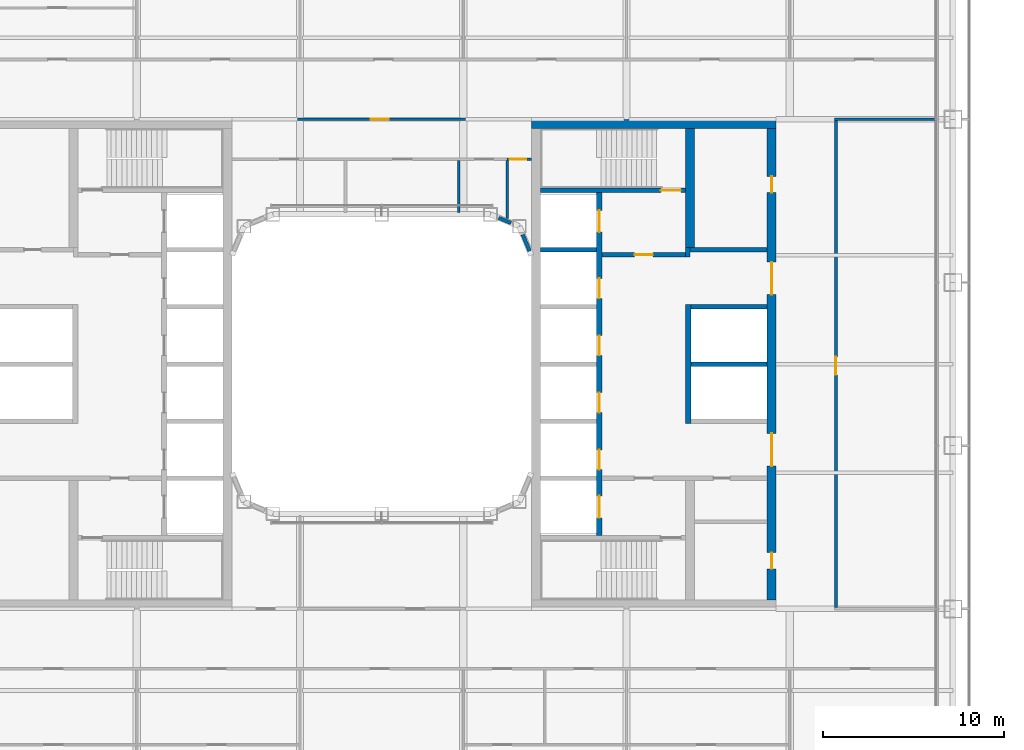
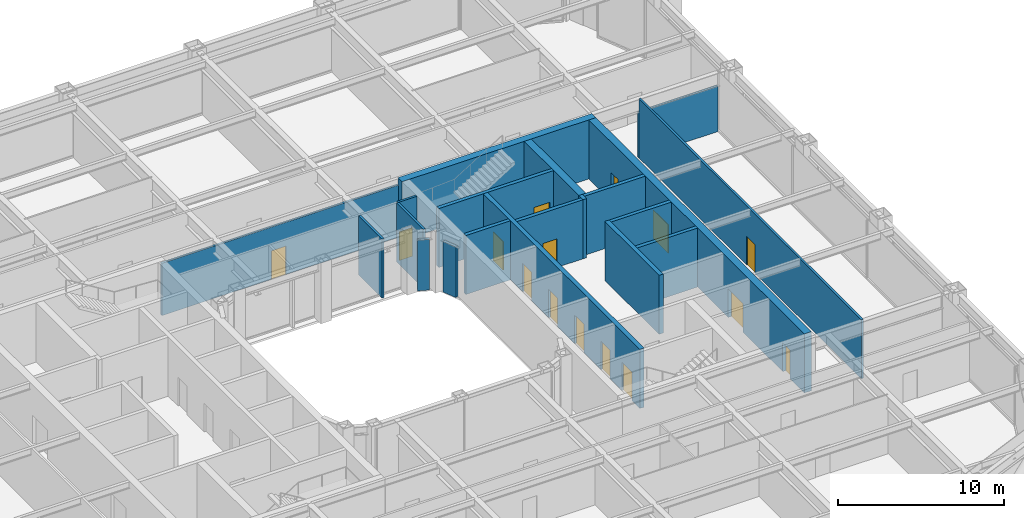
# One storey, part 15 of 30: 20 walls, 15 doors, 15 openings.
"""IFC4 building model written with IfcOpenShell, lengths in metres."""

from ifc_helpers import new_model, si_unit, direction, frame, frame_2d, origin, place, context, subcontext, project, spatial, rectangle, extrude, material, layer, layer_set, type_object, element, fill, save


model = new_model("IFC4")

# Units and contexts
model_context = context("Model", 3, precision=1e-05, world=origin(), true_north=direction((0.0, 1.0)))
body_context = subcontext(model_context, "Body", "Model", "MODEL_VIEW")
ifc_project = project(units=[si_unit("LENGTHUNIT", "METRE"), si_unit("AREAUNIT", "SQUARE_METRE"), si_unit("VOLUMEUNIT", "CUBIC_METRE"), si_unit("PLANEANGLEUNIT", "RADIAN"), si_unit("MASSUNIT", "GRAM", prefix="KILO")], contexts=[model_context])

# Site, building, storey
site_placement = place(None, origin())
site = spatial("IfcSite", under=ifc_project, at=site_placement, CompositionType="ELEMENT")
building_placement = place(site_placement, origin())
building = spatial("IfcBuilding", under=site, at=building_placement, Name="Siwar Civic Tower", CompositionType="ELEMENT")
storey_placement = place(building_placement, frame((0.0, 0.0, 80.699951171875)))
storey = spatial("IfcBuildingStorey", under=building, at=storey_placement, Name="L17", CompositionType="ELEMENT", Elevation=80.699951171875)

# Wall, opening, door
ifc_material_1 = material(Name="Gypsum board on steel studs", Category="steel")
ifc_layer_1 = layer(ifc_material_1, 0.14990234375)
ifc_layer_set_1 = layer_set([ifc_layer_1], Name="Gypsum board on steel studs")
wall_type_1 = type_object("IfcWallType", Name="COMPARTMENT PARTITION 150 EI 60", PredefinedType="PARTITIONING", material=ifc_layer_set_1)
wall_1_placement = place(storey_placement, frame((6.919921875, 11.300048828125, 0.0), z_axis=(0.0, 0.0, 1.0), x_axis=(1.0, 0.0, 0.0)))
wall_1 = element("IfcWall", 1, at=wall_1_placement, inside=storey, type_object=wall_type_1, Name="L17/wall/P10", PredefinedType="PARTITIONING", context=body_context, shape_type="SweptSolid", body=[
    extrude(rectangle(XDim=1.330078125, YDim=0.14990234375, at=frame_2d((0.6650390625, 0.0))), origin(), (0.0, 0.0, 1.0), 4.35009765625),
])
opening_1_placement = place(wall_1_placement, frame((0.14990234375, 0.0, 0.0)))
opening_1 = element("IfcOpeningElement", 2, at=opening_1_placement, cuts=wall_1, Name="Opening D4", PredefinedType="OPENING", context=body_context, shape_type="SweptSolid", body=[
    extrude(rectangle(XDim=0.89990234375, YDim=2.10009765625, at=frame_2d((0.449951171875, 1.050048828125))), frame((0.0, 0.0849609375, 0.0), z_axis=(0.0, -1.0, 0.0), x_axis=(1.0, 0.0, 0.0)), (0.0, 0.0, 1.0), 0.169921875),
])
ifc_material_2 = material(Name="Timber, painted", Category="wood")
door_type_1 = type_object("IfcDoorType", Name="DOOR 900 X 2100 FD60", OperationType="SINGLE_SWING_LEFT", PredefinedType="DOOR", material=ifc_material_2)
door_1_placement = place(opening_1_placement, origin())
door_1 = element("IfcDoor", 3, at=door_1_placement, inside=storey, type_object=door_type_1, Name="L17-D32", OperationType="SINGLE_SWING_RIGHT", OverallHeight=2.10009765625, OverallWidth=0.89990234375, PredefinedType="DOOR", context=body_context, shape_type="SweptSolid", body=[
    extrude(rectangle(XDim=0.89990234375, YDim=2.10009765625, at=frame_2d((0.449951171875, 1.050048828125))), frame((0.0, 0.02490234375, 0.0), z_axis=(0.0, -1.0, 0.0), x_axis=(1.0, 0.0, 0.0)), (0.0, 0.0, 1.0), 0.050048828125),
])
fill(opening_1, door_1)

# Wall
wall_2_placement = place(storey_placement, frame((6.919921875, 8.028076171875, 0.0), z_axis=(0.0, 0.0, 1.0), x_axis=(0.0, 1.0, 0.0)))
element("IfcWall", 4, at=wall_2_placement, inside=storey, type_object=wall_type_1, Name="L17/wall/P32", PredefinedType="PARTITIONING", context=body_context, shape_type="SweptSolid", body=[
    extrude(rectangle(XDim=3.197021484375, YDim=0.14990234375, at=frame_2d((1.5986328125, 0.0))), origin(), (0.0, 0.0, 1.0), 4.35009765625),
])

# Wall, opening, door
ifc_material_3 = material(Name="Concrete C60/75", Category="concrete")
ifc_layer_2 = layer(ifc_material_3, 0.25)
ifc_layer_set_2 = layer_set([ifc_layer_2], Name="Concrete C60/75")
wall_type_2 = type_object("IfcWallType", Name="CORE-WALL-RC250", PredefinedType="SHEAR", material=ifc_layer_set_2)
wall_3_placement = place(storey_placement, frame((12.14990234375, 6.02490234375, 0.0), z_axis=(0.0, 0.0, 1.0), x_axis=(1.0, 0.0, 0.0)))
wall_3 = element("IfcWall", 5, at=wall_3_placement, inside=storey, type_object=wall_type_2, Name="Core wall E", PredefinedType="SHEAR", context=body_context, shape_type="SweptSolid", body=[
    extrude(rectangle(XDim=4.60009765625, YDim=0.25, at=frame_2d((2.300048828125, 0.0))), origin(), (0.0, 0.0, 1.0), 4.35009765625),
])
opening_2_placement = place(wall_3_placement, frame((1.800048828125, 0.0, 0.0)))
opening_2 = element("IfcOpeningElement", 6, at=opening_2_placement, cuts=wall_3, Name="Opening L17-CE01", PredefinedType="OPENING", context=body_context, shape_type="SweptSolid", body=[
    extrude(rectangle(XDim=1.0, YDim=2.10009765625, at=frame_2d((0.5, 1.050048828125))), frame((0.0, 0.135009765625, 0.0), z_axis=(0.0, -1.0, 0.0), x_axis=(1.0, 0.0, 0.0)), (0.0, 0.0, 1.0), 0.27001953125),
])
ifc_material_4 = material(Name="Steel door leaf", Category="steel")
door_type_2 = type_object("IfcDoorType", Name="CORE-DOOR-FD30S", OperationType="SINGLE_SWING_LEFT", PredefinedType="DOOR", material=ifc_material_4)
door_2_placement = place(opening_2_placement, origin())
door_2 = element("IfcDoor", 7, at=door_2_placement, inside=storey, type_object=door_type_2, Name="Firefighting lobby door L17-CE01", OperationType="SINGLE_SWING_RIGHT", OverallHeight=2.10009765625, OverallWidth=1.0, PredefinedType="DOOR", context=body_context, shape_type="SweptSolid", body=[
    extrude(rectangle(XDim=1.0, YDim=2.10009765625, at=frame_2d((0.5, 1.050048828125))), frame((0.0, 0.02490234375, 0.0), z_axis=(0.0, -1.0, 0.0), x_axis=(1.0, 0.0, 0.0)), (0.0, 0.0, 1.0), 0.050048828125),
])
fill(opening_2, door_2)

# Walls
wall_4_placement = place(storey_placement, frame((16.875, 5.89990234375, 0.0), z_axis=(0.0, 0.0, 1.0), x_axis=(0.0, 1.0, 0.0)))
element("IfcWall", 8, at=wall_4_placement, inside=storey, type_object=wall_type_2, Name="Core wall E", PredefinedType="SHEAR", context=body_context, shape_type="SweptSolid", body=[
    extrude(rectangle(XDim=0.525146484375, YDim=0.25, at=frame_2d((0.2626953125, 0.0))), origin(), (0.0, 0.0, 1.0), 4.35009765625),
])
wall_5_placement = place(storey_placement, frame((17.0, 6.300048828125, 0.0), z_axis=(0.0, 0.0, 1.0), x_axis=(1.0, 0.0, 0.0)))
element("IfcWall", 9, at=wall_5_placement, inside=storey, type_object=wall_type_2, Name="Core wall E", PredefinedType="SHEAR", context=body_context, shape_type="SweptSolid", body=[
    extrude(rectangle(XDim=4.25, YDim=0.25, at=frame_2d((2.125, 0.0))), origin(), (0.0, 0.0, 1.0), 4.35009765625),
])
for number, where, z_axis, x_axis, name in (
    (10, (17.050048828125, 0.0, 0.0), (0.0, 0.0, 1.0), (1.0, 0.0, 0.0), "Core wall E"),
    (11, (17.050048828125, 3.14990234375, 0.0), (0.0, 0.0, 1.0), (1.0, 0.0, 0.0), "Core wall E"),
):
    element("IfcWall", number, at=place(storey_placement, frame(where, z_axis=z_axis, x_axis=x_axis)), inside=storey, type_object=wall_type_2, Name=name, PredefinedType="SHEAR", context=body_context, shape_type="SweptSolid", body=[
        extrude(rectangle(XDim=4.199951171875, YDim=0.25, at=frame_2d((2.10009765625, 0.0))), origin(), (0.0, 0.0, 1.0), 4.35009765625),
    ])
wall_6_placement = place(storey_placement, frame((8.75, 6.300048828125, 0.0), z_axis=(0.0, 0.0, 1.0), x_axis=(1.0, 0.0, 0.0)))
element("IfcWall", 12, at=wall_6_placement, inside=storey, type_object=wall_type_2, Name="Core wall E", PredefinedType="SHEAR", context=body_context, shape_type="SweptSolid", body=[
    extrude(rectangle(XDim=3.10009765625, YDim=0.25, at=frame_2d((1.550048828125, 0.0))), origin(), (0.0, 0.0, 1.0), 4.35009765625),
])

# Wall, opening, door
wall_7_placement = place(storey_placement, frame((8.75, 9.574951171875, 0.0), z_axis=(0.0, 0.0, 1.0), x_axis=(1.0, 0.0, 0.0)))
wall_7 = element("IfcWall", 13, at=wall_7_placement, inside=storey, type_object=wall_type_2, Name="Core wall E", PredefinedType="SHEAR", context=body_context, shape_type="SweptSolid", body=[
    extrude(rectangle(XDim=8.0, YDim=0.25, at=frame_2d((4.0, 0.0))), origin(), (0.0, 0.0, 1.0), 4.35009765625),
])
opening_3_placement = place(wall_7_placement, frame((6.64990234375, 0.0, 0.0)))
opening_3 = element("IfcOpeningElement", 14, at=opening_3_placement, cuts=wall_7, Name="Opening L17-CE03", PredefinedType="OPENING", context=body_context, shape_type="SweptSolid", body=[
    extrude(rectangle(XDim=1.10009765625, YDim=2.10009765625, at=frame_2d((0.550048828125, 1.050048828125))), frame((0.0, 0.135009765625, 0.0), z_axis=(0.0, -1.0, 0.0), x_axis=(1.0, 0.0, 0.0)), (0.0, 0.0, 1.0), 0.27001953125),
])
ifc_material_5 = material(Name="Steel door leaf", Category="steel")
door_type_3 = type_object("IfcDoorType", Name="CORE-DOOR-FD60S", OperationType="SINGLE_SWING_LEFT", PredefinedType="DOOR", material=ifc_material_5)
door_3_placement = place(opening_3_placement, origin())
door_3 = element("IfcDoor", 15, at=door_3_placement, inside=storey, type_object=door_type_3, Name="Stair door L17-CE03", OperationType="SINGLE_SWING_LEFT", OverallHeight=2.10009765625, OverallWidth=1.10009765625, PredefinedType="DOOR", context=body_context, shape_type="SweptSolid", body=[
    extrude(rectangle(XDim=1.10009765625, YDim=2.10009765625, at=frame_2d((0.550048828125, 1.050048828125))), frame((0.0, 0.02490234375, 0.0), z_axis=(0.0, -1.0, 0.0), x_axis=(1.0, 0.0, 0.0)), (0.0, 0.0, 1.0), 0.050048828125),
])
fill(opening_3, door_3)

# Wall, openings, doors
ifc_material_6 = material(Name="Concrete C60/75", Category="concrete")
ifc_layer_3 = layer(ifc_material_6, 0.300048828125)
ifc_layer_set_3 = layer_set([ifc_layer_3], Name="Concrete C60/75")
wall_type_3 = type_object("IfcWallType", Name="CORE-WALL-RC300", PredefinedType="SHEAR", material=ifc_layer_set_3)
wall_8_placement = place(storey_placement, frame((12.0, -9.449951171875, 0.0), z_axis=(0.0, 0.0, 1.0), x_axis=(0.0, 1.0, 0.0)))
wall_8 = element("IfcWall", 16, at=wall_8_placement, inside=storey, type_object=wall_type_3, Name="Core wall E", PredefinedType="SHEAR", context=body_context, shape_type="SweptSolid", body=[
    extrude(rectangle(XDim=18.89990234375, YDim=0.300048828125, at=frame_2d((9.449951171875, 0.0))), origin(), (0.0, 0.0, 1.0), 4.35009765625),
])
opening_4_placement = place(wall_8_placement, frame((3.625, 0.0, 0.0)))
opening_4 = element("IfcOpeningElement", 17, at=opening_4_placement, cuts=wall_8, Name="Opening L17-CE07", PredefinedType="OPENING", context=body_context, shape_type="SweptSolid", body=[
    extrude(rectangle(XDim=1.10009765625, YDim=2.10009765625, at=frame_2d((0.550048828125, 1.050048828125))), frame((0.0, 0.16015625, 0.0), z_axis=(0.0, -1.0, 0.0), x_axis=(1.0, 0.0, 0.0)), (0.0, 0.0, 1.0), 0.320068359375),
])
opening_5_placement = place(wall_8_placement, frame((6.77490234375, 0.0, 0.0)))
opening_5 = element("IfcOpeningElement", 18, at=opening_5_placement, cuts=wall_8, Name="Opening L17-CE08", PredefinedType="OPENING", context=body_context, shape_type="SweptSolid", body=[
    extrude(rectangle(XDim=1.10009765625, YDim=2.10009765625, at=frame_2d((0.550048828125, 1.050048828125))), frame((0.0, 0.16015625, 0.0), z_axis=(0.0, -1.0, 0.0), x_axis=(1.0, 0.0, 0.0)), (0.0, 0.0, 1.0), 0.320068359375),
])
opening_6_placement = place(wall_8_placement, frame((9.925048828125, 0.0, 0.0)))
opening_6 = element("IfcOpeningElement", 19, at=opening_6_placement, cuts=wall_8, Name="Opening L17-CE09", PredefinedType="OPENING", context=body_context, shape_type="SweptSolid", body=[
    extrude(rectangle(XDim=1.10009765625, YDim=2.10009765625, at=frame_2d((0.550048828125, 1.050048828125))), frame((0.0, 0.16015625, 0.0), z_axis=(0.0, -1.0, 0.0), x_axis=(1.0, 0.0, 0.0)), (0.0, 0.0, 1.0), 0.320068359375),
])
opening_7_placement = place(wall_8_placement, frame((13.074951171875, 0.0, 0.0)))
opening_7 = element("IfcOpeningElement", 20, at=opening_7_placement, cuts=wall_8, Name="Opening L17-CE10", PredefinedType="OPENING", context=body_context, shape_type="SweptSolid", body=[
    extrude(rectangle(XDim=1.10009765625, YDim=2.10009765625, at=frame_2d((0.550048828125, 1.050048828125))), frame((0.0, 0.16015625, 0.0), z_axis=(0.0, -1.0, 0.0), x_axis=(1.0, 0.0, 0.0)), (0.0, 0.0, 1.0), 0.320068359375),
])
opening_8_placement = place(wall_8_placement, frame((16.72509765625, 0.0, 0.0)))
opening_8 = element("IfcOpeningElement", 21, at=opening_8_placement, cuts=wall_8, Name="Opening L17-CE11", PredefinedType="OPENING", context=body_context, shape_type="SweptSolid", body=[
    extrude(rectangle(XDim=1.199951171875, YDim=2.10009765625, at=frame_2d((0.60009765625, 1.050048828125))), frame((0.0, 0.16015625, 0.0), z_axis=(0.0, -1.0, 0.0), x_axis=(1.0, 0.0, 0.0)), (0.0, 0.0, 1.0), 0.320068359375),
])
opening_9_placement = place(wall_8_placement, frame((0.97509765625, 0.0, 0.0)))
opening_9 = element("IfcOpeningElement", 22, at=opening_9_placement, cuts=wall_8, Name="Opening L17-CE12", PredefinedType="OPENING", context=body_context, shape_type="SweptSolid", body=[
    extrude(rectangle(XDim=1.199951171875, YDim=2.10009765625, at=frame_2d((0.60009765625, 1.050048828125))), frame((0.0, 0.16015625, 0.0), z_axis=(0.0, -1.0, 0.0), x_axis=(1.0, 0.0, 0.0)), (0.0, 0.0, 1.0), 0.320068359375),
])
ifc_material_7 = material(Name="Steel door leaf", Category="steel")
door_type_4 = type_object("IfcDoorType", Name="CORE-DOOR-LD", OperationType="DOUBLE_DOOR_SLIDING", PredefinedType="DOOR", material=ifc_material_7)
door_4_placement = place(opening_4_placement, origin())
door_4 = element("IfcDoor", 23, at=door_4_placement, inside=storey, type_object=door_type_4, Name="Landing door LR5 L17-CE07", OperationType="DOUBLE_DOOR_SLIDING", OverallHeight=2.10009765625, OverallWidth=1.10009765625, PredefinedType="DOOR", context=body_context, shape_type="SweptSolid", body=[
    extrude(rectangle(XDim=1.10009765625, YDim=2.10009765625, at=frame_2d((0.550048828125, 1.050048828125))), frame((0.0, 0.02490234375, 0.0), z_axis=(0.0, -1.0, 0.0), x_axis=(1.0, 0.0, 0.0)), (0.0, 0.0, 1.0), 0.050048828125),
])
fill(opening_4, door_4)
door_5_placement = place(opening_5_placement, origin())
door_5 = element("IfcDoor", 24, at=door_5_placement, inside=storey, type_object=door_type_4, Name="Landing door LR6 L17-CE08", OperationType="DOUBLE_DOOR_SLIDING", OverallHeight=2.10009765625, OverallWidth=1.10009765625, PredefinedType="DOOR", context=body_context, shape_type="SweptSolid", body=[
    extrude(rectangle(XDim=1.10009765625, YDim=2.10009765625, at=frame_2d((0.550048828125, 1.050048828125))), frame((0.0, 0.02490234375, 0.0), z_axis=(0.0, -1.0, 0.0), x_axis=(1.0, 0.0, 0.0)), (0.0, 0.0, 1.0), 0.050048828125),
])
fill(opening_5, door_5)
door_6_placement = place(opening_6_placement, origin())
door_6 = element("IfcDoor", 25, at=door_6_placement, inside=storey, type_object=door_type_4, Name="Landing door LR7 L17-CE09", OperationType="DOUBLE_DOOR_SLIDING", OverallHeight=2.10009765625, OverallWidth=1.10009765625, PredefinedType="DOOR", context=body_context, shape_type="SweptSolid", body=[
    extrude(rectangle(XDim=1.10009765625, YDim=2.10009765625, at=frame_2d((0.550048828125, 1.050048828125))), frame((0.0, 0.02490234375, 0.0), z_axis=(0.0, -1.0, 0.0), x_axis=(1.0, 0.0, 0.0)), (0.0, 0.0, 1.0), 0.050048828125),
])
fill(opening_6, door_6)
door_7_placement = place(opening_7_placement, origin())
door_7 = element("IfcDoor", 26, at=door_7_placement, inside=storey, type_object=door_type_4, Name="Landing door LR8 L17-CE10", OperationType="DOUBLE_DOOR_SLIDING", OverallHeight=2.10009765625, OverallWidth=1.10009765625, PredefinedType="DOOR", context=body_context, shape_type="SweptSolid", body=[
    extrude(rectangle(XDim=1.10009765625, YDim=2.10009765625, at=frame_2d((0.550048828125, 1.050048828125))), frame((0.0, 0.02490234375, 0.0), z_axis=(0.0, -1.0, 0.0), x_axis=(1.0, 0.0, 0.0)), (0.0, 0.0, 1.0), 0.050048828125),
])
fill(opening_7, door_7)
ifc_material_8 = material(Name="Steel door leaf", Category="steel")
door_type_5 = type_object("IfcDoorType", Name="CORE-DOOR-LDW", OperationType="DOUBLE_DOOR_SLIDING", PredefinedType="DOOR", material=ifc_material_8)
door_8_placement = place(opening_8_placement, origin())
door_8 = element("IfcDoor", 27, at=door_8_placement, inside=storey, type_object=door_type_5, Name="Landing door FF2 L17-CE11", OperationType="DOUBLE_DOOR_SLIDING", OverallHeight=2.10009765625, OverallWidth=1.199951171875, PredefinedType="DOOR", context=body_context, shape_type="SweptSolid", body=[
    extrude(rectangle(XDim=1.199951171875, YDim=2.10009765625, at=frame_2d((0.60009765625, 1.050048828125))), frame((0.0, 0.02490234375, 0.0), z_axis=(0.0, -1.0, 0.0), x_axis=(1.0, 0.0, 0.0)), (0.0, 0.0, 1.0), 0.050048828125),
])
fill(opening_8, door_8)
door_9_placement = place(opening_9_placement, origin())
door_9 = element("IfcDoor", 28, at=door_9_placement, inside=storey, type_object=door_type_5, Name="Landing door SV2 L17-CE12", OperationType="DOUBLE_DOOR_SLIDING", OverallHeight=2.10009765625, OverallWidth=1.199951171875, PredefinedType="DOOR", context=body_context, shape_type="SweptSolid", body=[
    extrude(rectangle(XDim=1.199951171875, YDim=2.10009765625, at=frame_2d((0.60009765625, 1.050048828125))), frame((0.0, 0.02490234375, 0.0), z_axis=(0.0, -1.0, 0.0), x_axis=(1.0, 0.0, 0.0)), (0.0, 0.0, 1.0), 0.050048828125),
])
fill(opening_9, door_9)

# Wall
wall_9_placement = place(storey_placement, frame((16.89990234375, -3.27490234375, 0.0), z_axis=(0.0, 0.0, 1.0), x_axis=(0.0, 1.0, 0.0)))
element("IfcWall", 29, at=wall_9_placement, inside=storey, type_object=wall_type_3, Name="Core wall E", PredefinedType="SHEAR", context=body_context, shape_type="SweptSolid", body=[
    extrude(rectangle(XDim=6.5498046875, YDim=0.300048828125, at=frame_2d((3.27490234375, 0.0))), origin(), (0.0, 0.0, 1.0), 4.35009765625),
])

# Wall, openings, doors
ifc_material_9 = material(Name="Concrete C60/75", Category="concrete")
ifc_layer_4 = layer(ifc_material_9, 0.5)
ifc_layer_set_4 = layer_set([ifc_layer_4], Name="Concrete C60/75")
wall_type_4 = type_object("IfcWallType", Name="CORE-WALL-RC500", PredefinedType="SHEAR", material=ifc_layer_set_4)
wall_10_placement = place(storey_placement, frame((21.5, -13.0, 0.0), z_axis=(0.0, 0.0, 1.0), x_axis=(0.0, 1.0, 0.0)))
wall_10 = element("IfcWall", 30, at=wall_10_placement, inside=storey, type_object=wall_type_4, Name="Core wall E", PredefinedType="SHEAR", context=body_context, shape_type="SweptSolid", body=[
    extrude(rectangle(XDim=26.0, YDim=0.5, at=frame_2d((13.0, 0.0))), origin(), (0.0, 0.0, 1.0), 4.35009765625),
])
opening_10_placement = place(wall_10_placement, frame((16.824951171875, 0.0, 0.0)))
opening_10 = element("IfcOpeningElement", 31, at=opening_10_placement, cuts=wall_10, Name="Opening L17-CE05", PredefinedType="OPENING", context=body_context, shape_type="SweptSolid", body=[
    extrude(rectangle(XDim=1.800048828125, YDim=2.10009765625, at=frame_2d((0.89990234375, 1.050048828125))), frame((0.0, 0.260009765625, 0.0), z_axis=(0.0, -1.0, 0.0), x_axis=(1.0, 0.0, 0.0)), (0.0, 0.0, 1.0), 0.52001953125),
])
opening_11_placement = place(wall_10_placement, frame((7.375, 0.0, 0.0)))
opening_11 = element("IfcOpeningElement", 32, at=opening_11_placement, cuts=wall_10, Name="Opening L17-CE06", PredefinedType="OPENING", context=body_context, shape_type="SweptSolid", body=[
    extrude(rectangle(XDim=1.800048828125, YDim=2.10009765625, at=frame_2d((0.89990234375, 1.050048828125))), frame((0.0, 0.260009765625, 0.0), z_axis=(0.0, -1.0, 0.0), x_axis=(1.0, 0.0, 0.0)), (0.0, 0.0, 1.0), 0.52001953125),
])
opening_12_placement = place(wall_10_placement, frame((22.449951171875, 0.0, 0.0)))
opening_12 = element("IfcOpeningElement", 33, at=opening_12_placement, cuts=wall_10, Name="Opening L17-CE13", PredefinedType="OPENING", context=body_context, shape_type="SweptSolid", body=[
    extrude(rectangle(XDim=0.89990234375, YDim=2.10009765625, at=frame_2d((0.449951171875, 1.050048828125))), frame((0.0, 0.260009765625, 0.0), z_axis=(0.0, -1.0, 0.0), x_axis=(1.0, 0.0, 0.0)), (0.0, 0.0, 1.0), 0.52001953125),
])
opening_13_placement = place(wall_10_placement, frame((1.699951171875, 0.0, 0.0)))
opening_13 = element("IfcOpeningElement", 34, at=opening_13_placement, cuts=wall_10, Name="Opening L17-CE15", PredefinedType="OPENING", context=body_context, shape_type="SweptSolid", body=[
    extrude(rectangle(XDim=0.89990234375, YDim=2.10009765625, at=frame_2d((0.449951171875, 1.050048828125))), frame((0.0, 0.260009765625, 0.0), z_axis=(0.0, -1.0, 0.0), x_axis=(1.0, 0.0, 0.0)), (0.0, 0.0, 1.0), 0.52001953125),
])
ifc_material_10 = material(Name="Steel door leaf", Category="steel")
door_type_6 = type_object("IfcDoorType", Name="CORE-DOOR-PORT", OperationType="DOUBLE_DOOR_DOUBLE_SWING", PredefinedType="DOOR", material=ifc_material_10)
door_10_placement = place(opening_10_placement, origin())
door_10 = element("IfcDoor", 35, at=door_10_placement, inside=storey, type_object=door_type_6, Name="Core entrance door L17-CE05", OperationType="DOUBLE_DOOR_DOUBLE_SWING", OverallHeight=2.10009765625, OverallWidth=1.800048828125, PredefinedType="DOOR", context=body_context, shape_type="SweptSolid", body=[
    extrude(rectangle(XDim=1.800048828125, YDim=2.10009765625, at=frame_2d((0.89990234375, 1.050048828125))), frame((0.0, 0.02490234375, 0.0), z_axis=(0.0, -1.0, 0.0), x_axis=(1.0, 0.0, 0.0)), (0.0, 0.0, 1.0), 0.050048828125),
])
fill(opening_10, door_10)
door_11_placement = place(opening_11_placement, origin())
door_11 = element("IfcDoor", 36, at=door_11_placement, inside=storey, type_object=door_type_6, Name="Core entrance door L17-CE06", OperationType="DOUBLE_DOOR_DOUBLE_SWING", OverallHeight=2.10009765625, OverallWidth=1.800048828125, PredefinedType="DOOR", context=body_context, shape_type="SweptSolid", body=[
    extrude(rectangle(XDim=1.800048828125, YDim=2.10009765625, at=frame_2d((0.89990234375, 1.050048828125))), frame((0.0, 0.02490234375, 0.0), z_axis=(0.0, -1.0, 0.0), x_axis=(1.0, 0.0, 0.0)), (0.0, 0.0, 1.0), 0.050048828125),
])
fill(opening_11, door_11)
ifc_material_11 = material(Name="Steel door leaf", Category="steel")
door_type_7 = type_object("IfcDoorType", Name="CORE-DOOR-ROOM", OperationType="SINGLE_SWING_LEFT", PredefinedType="DOOR", material=ifc_material_11)
door_12_placement = place(opening_12_placement, origin())
door_12 = element("IfcDoor", 37, at=door_12_placement, inside=storey, type_object=door_type_7, Name="Core room door L17-CE13", OperationType="SINGLE_SWING_LEFT", OverallHeight=2.10009765625, OverallWidth=0.89990234375, PredefinedType="DOOR", context=body_context, shape_type="SweptSolid", body=[
    extrude(rectangle(XDim=0.89990234375, YDim=2.10009765625, at=frame_2d((0.449951171875, 1.050048828125))), frame((0.0, 0.02490234375, 0.0), z_axis=(0.0, -1.0, 0.0), x_axis=(1.0, 0.0, 0.0)), (0.0, 0.0, 1.0), 0.050048828125),
])
fill(opening_12, door_12)
door_13_placement = place(opening_13_placement, origin())
door_13 = element("IfcDoor", 38, at=door_13_placement, inside=storey, type_object=door_type_7, Name="Core room door L17-CE15", OperationType="SINGLE_SWING_LEFT", OverallHeight=2.10009765625, OverallWidth=0.89990234375, PredefinedType="DOOR", context=body_context, shape_type="SweptSolid", body=[
    extrude(rectangle(XDim=0.89990234375, YDim=2.10009765625, at=frame_2d((0.449951171875, 1.050048828125))), frame((0.0, 0.02490234375, 0.0), z_axis=(0.0, -1.0, 0.0), x_axis=(1.0, 0.0, 0.0)), (0.0, 0.0, 1.0), 0.050048828125),
])
fill(opening_13, door_13)

# Walls
wall_11_placement = place(storey_placement, frame((17.0, 6.425048828125, 0.0), z_axis=(0.0, 0.0, 1.0), x_axis=(0.0, 1.0, 0.0)))
element("IfcWall", 39, at=wall_11_placement, inside=storey, type_object=wall_type_4, Name="Core wall E", PredefinedType="SHEAR", context=body_context, shape_type="SweptSolid", body=[
    extrude(rectangle(XDim=6.574951171875, YDim=0.5, at=frame_2d((3.28759765625, 0.0))), origin(), (0.0, 0.0, 1.0), 4.35009765625),
])
wall_12_placement = place(storey_placement, frame((8.25, 13.25, 0.0), z_axis=(0.0, 0.0, 1.0), x_axis=(1.0, 0.0, 0.0)))
element("IfcWall", 40, at=wall_12_placement, inside=storey, type_object=wall_type_4, Name="Core wall E", PredefinedType="SHEAR", context=body_context, shape_type="SweptSolid", body=[
    extrude(rectangle(XDim=13.5, YDim=0.5, at=frame_2d((6.75, 0.0))), origin(), (0.0, 0.0, 1.0), 4.35009765625),
])

# Wall, opening, door
ifc_material_12 = material(Name="Gypsum board on steel studs", Category="steel")
ifc_layer_5 = layer(ifc_material_12, 0.14990234375)
ifc_layer_set_5 = layer_set([ifc_layer_5], Name="Gypsum board on steel studs")
wall_type_5 = type_object("IfcWallType", Name="CORRIDOR PARTITION 150 EI 30", PredefinedType="PARTITIONING", material=ifc_layer_set_5)
wall_13_placement = place(storey_placement, frame((-8.25, 13.5, 0.0), z_axis=(0.0, 0.0, 1.0), x_axis=(1.0, 0.0, 0.0)))
wall_13 = element("IfcWall", 41, at=wall_13_placement, inside=storey, type_object=wall_type_5, Name="L17/wall/P12", PredefinedType="PARTITIONING", context=body_context, shape_type="SweptSolid", body=[
    extrude(rectangle(XDim=16.5, YDim=0.14990234375, at=frame_2d((8.25, 0.0))), origin(), (0.0, 0.0, 1.0), 3.85009765625),
])
opening_14_placement = place(wall_13_placement, frame((7.64990234375, 0.0, 0.0)))
opening_14 = element("IfcOpeningElement", 42, at=opening_14_placement, cuts=wall_13, Name="Opening D1", PredefinedType="OPENING", context=body_context, shape_type="SweptSolid", body=[
    extrude(rectangle(XDim=1.0, YDim=2.10009765625, at=frame_2d((0.5, 1.050048828125))), frame((0.0, 0.0849609375, 0.0), z_axis=(0.0, -1.0, 0.0), x_axis=(1.0, 0.0, 0.0)), (0.0, 0.0, 1.0), 0.169921875),
])
ifc_material_13 = material(Name="Timber, painted", Category="wood")
door_type_8 = type_object("IfcDoorType", Name="DOOR 1000 X 2100 FD30", OperationType="SINGLE_SWING_LEFT", PredefinedType="DOOR", material=ifc_material_13)
door_14_placement = place(opening_14_placement, origin())
door_14 = element("IfcDoor", 43, at=door_14_placement, inside=storey, type_object=door_type_8, Name="L17-D28", OperationType="SINGLE_SWING_RIGHT", OverallHeight=2.10009765625, OverallWidth=1.0, PredefinedType="DOOR", context=body_context, shape_type="SweptSolid", body=[
    extrude(rectangle(XDim=1.0, YDim=2.10009765625, at=frame_2d((0.5, 1.050048828125))), frame((0.0, 0.02490234375, 0.0), z_axis=(0.0, -1.0, 0.0), x_axis=(1.0, 0.0, 0.0)), (0.0, 0.0, 1.0), 0.050048828125),
])
fill(opening_14, door_14)

# Walls
wall_14_placement = place(storey_placement, frame((24.97509765625, 13.5, 0.0), z_axis=(0.0, 0.0, 1.0), x_axis=(1.0, 0.0, 0.0)))
element("IfcWall", 44, at=wall_14_placement, inside=storey, type_object=wall_type_5, Name="L17/wall/P13", PredefinedType="PARTITIONING", context=body_context, shape_type="SweptSolid", body=[
    extrude(rectangle(XDim=5.534912109375, YDim=0.14990234375, at=frame_2d((2.767578125, 0.0))), origin(), (0.0, 0.0, 1.0), 3.35009765625),
])
wall_15_placement = place(storey_placement, frame((4.25, 8.3701171875, 0.0), z_axis=(0.0, 0.0, 1.0), x_axis=(0.0, 1.0, 0.0)))
element("IfcWall", 45, at=wall_15_placement, inside=storey, type_object=wall_type_5, Name="L17/wall/P29", PredefinedType="PARTITIONING", context=body_context, shape_type="SweptSolid", body=[
    extrude(rectangle(XDim=2.85498046875, YDim=0.14990234375, at=frame_2d((1.427490234375, 0.0))), origin(), (0.0, 0.0, 1.0), 4.35009765625),
])

# Wall, opening, door
wall_16_placement = place(storey_placement, frame((25.050048828125, -13.425048828125, 0.0), z_axis=(0.0, 0.0, 1.0), x_axis=(0.0, 1.0, 0.0)))
wall_16 = element("IfcWall", 46, at=wall_16_placement, inside=storey, type_object=wall_type_5, Name="L17/wall/P39", PredefinedType="PARTITIONING", context=body_context, shape_type="SweptSolid", body=[
    extrude(rectangle(XDim=26.85009765625, YDim=0.14990234375, at=frame_2d((13.425048828125, 0.0))), origin(), (0.0, 0.0, 1.0), 4.35009765625),
])
opening_15_placement = place(wall_16_placement, frame((12.824951171875, 0.0, 0.0)))
opening_15 = element("IfcOpeningElement", 47, at=opening_15_placement, cuts=wall_16, Name="Opening D1", PredefinedType="OPENING", context=body_context, shape_type="SweptSolid", body=[
    extrude(rectangle(XDim=1.0, YDim=2.10009765625, at=frame_2d((0.5, 1.050048828125))), frame((0.0, 0.0849609375, 0.0), z_axis=(0.0, -1.0, 0.0), x_axis=(1.0, 0.0, 0.0)), (0.0, 0.0, 1.0), 0.169921875),
])
door_15_placement = place(opening_15_placement, origin())
door_15 = element("IfcDoor", 48, at=door_15_placement, inside=storey, type_object=door_type_8, Name="L17-D27", OperationType="SINGLE_SWING_LEFT", OverallHeight=2.10009765625, OverallWidth=1.0, PredefinedType="DOOR", context=body_context, shape_type="SweptSolid", body=[
    extrude(rectangle(XDim=1.0, YDim=2.10009765625, at=frame_2d((0.5, 1.050048828125))), frame((0.0, 0.02490234375, 0.0), z_axis=(0.0, -1.0, 0.0), x_axis=(1.0, 0.0, 0.0)), (0.0, 0.0, 1.0), 0.050048828125),
])
fill(opening_15, door_15)

# Walls
ifc_material_14 = material(Name="Aluminium clad insulated panel", Category="aluminium")
ifc_layer_6 = layer(ifc_material_14, 0.199951171875)
ifc_layer_set_6 = layer_set([ifc_layer_6], Name="Aluminium clad insulated panel")
wall_type_6 = type_object("IfcWallType", Name="ENV-WALL-WELL", PredefinedType="STANDARD", material=ifc_layer_set_6)
wall_17_placement = place(storey_placement, frame((8.154296875, 6.23095703125, 0.0), z_axis=(0.0, 0.0, 1.0), x_axis=(-0.382549378284, 0.923935048136, 0.0)))
element("IfcWall", 49, at=wall_17_placement, inside=storey, type_object=wall_type_6, Name="Light well corner wall NE1", PredefinedType="STANDARD", context=body_context, shape_type="SweptSolid", body=[
    extrude(rectangle(XDim=0.982177734375, YDim=0.199951171875, at=frame_2d((0.4912109375, 0.0))), origin(), (0.0, 0.0, 1.0), 3.72998046875),
])
wall_18_placement = place(storey_placement, frame((7.138427734375, 7.778564453125, 0.0), z_axis=(0.0, 0.0, 1.0), x_axis=(-0.923940677943, 0.382535780864, 0.0)))
element("IfcWall", 50, at=wall_18_placement, inside=storey, type_object=wall_type_6, Name="Light well corner wall NE2", PredefinedType="STANDARD", context=body_context, shape_type="SweptSolid", body=[
    extrude(rectangle(XDim=0.7421875, YDim=0.199951171875, at=frame_2d((0.37109375, 0.0))), origin(), (0.0, 0.0, 1.0), 3.72998046875),
])

save(model, "model.ifc")
